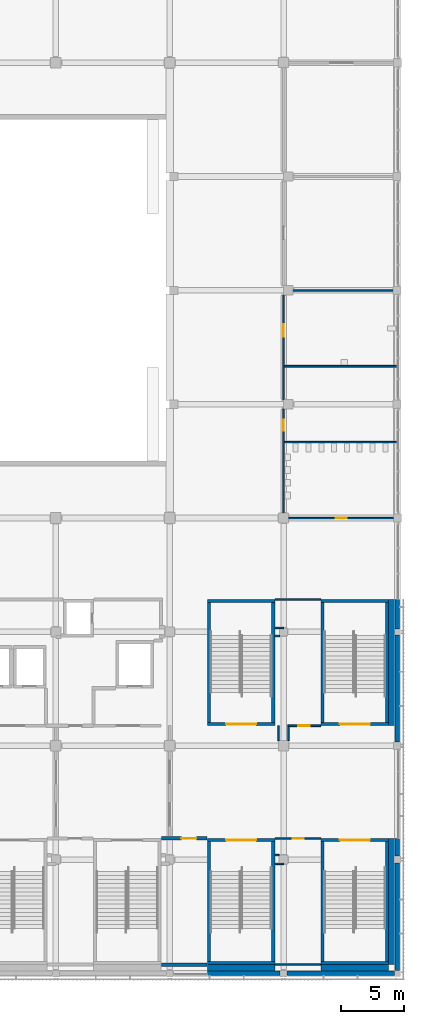
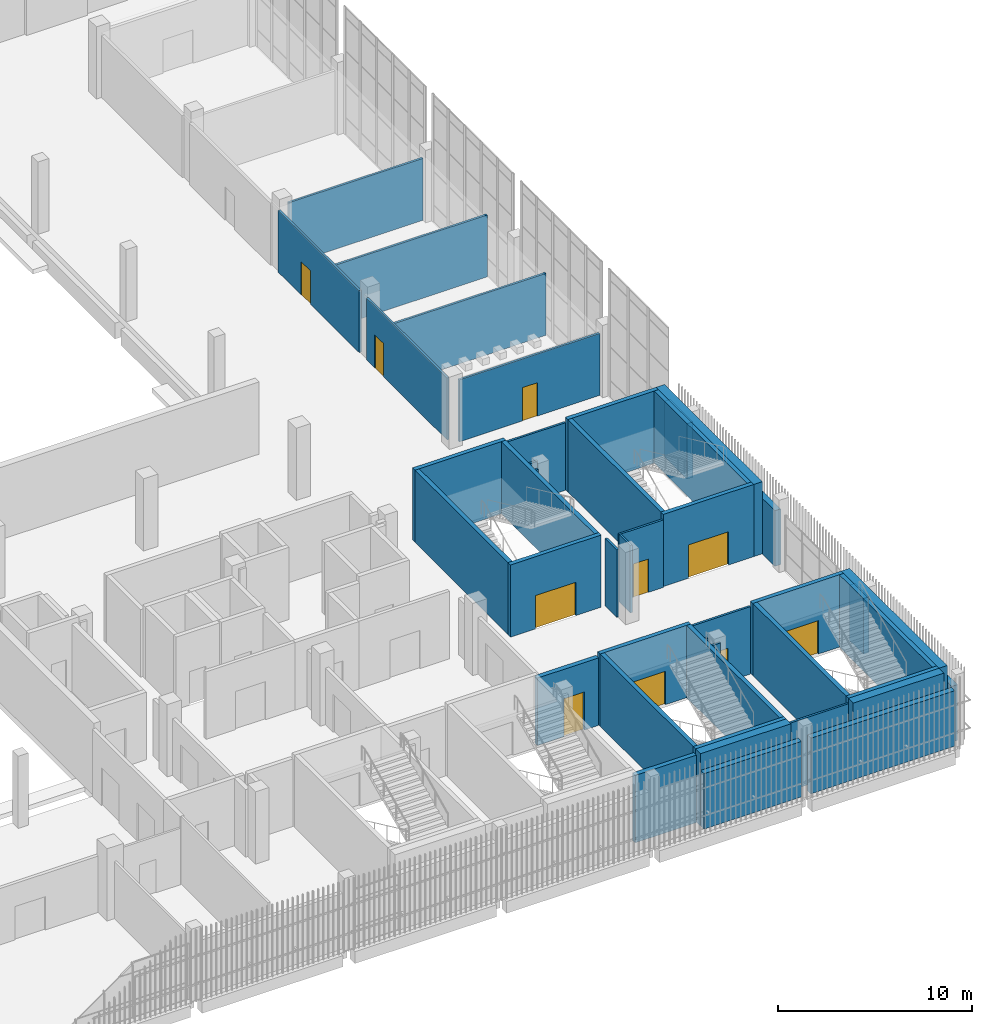
# One storey, part 87 of 126: 44 walls, 10 doors, 10 openings.
"""IFC4 building model written with IfcOpenShell, lengths in metres."""

from ifc_helpers import new_model, si_unit, direction, frame, frame_2d, origin, place, context, subcontext, project, spatial, rectangle, extrude, material, layer, layer_set, type_object, element, fill, save


model = new_model("IFC4")

# Units and contexts
model_context = context("Model", 3, precision=1e-05, world=origin(), true_north=direction((0.0, 1.0)))
body_context = subcontext(model_context, "Body", "Model", "MODEL_VIEW")
ifc_project = project(units=[si_unit("LENGTHUNIT", "METRE"), si_unit("AREAUNIT", "SQUARE_METRE"), si_unit("VOLUMEUNIT", "CUBIC_METRE"), si_unit("PLANEANGLEUNIT", "RADIAN"), si_unit("MASSUNIT", "GRAM", prefix="KILO")], contexts=[model_context])

# Site, building, storey
site_placement = place(None, origin())
site = spatial("IfcSite", under=ifc_project, at=site_placement, CompositionType="ELEMENT")
building_placement = place(site_placement, origin())
building = spatial("IfcBuilding", under=site, at=building_placement, Name="Shirokan Park Arena", CompositionType="ELEMENT")
storey_placement = place(building_placement, frame((0.0, 0.0, 6.3701171875)))
storey = spatial("IfcBuildingStorey", under=building, at=storey_placement, Name="L01", CompositionType="ELEMENT", Elevation=6.3701171875)

# Walls
ifc_material_1 = material(Name="Cedar cladding")
ifc_layer_1 = layer(ifc_material_1, 0.030029296875, Name="Cedar cladding")
ifc_material_2 = material(Name="Mineral wool insulation")
ifc_layer_2 = layer(ifc_material_2, 0.10009765625, Name="Mineral wool insulation")
ifc_material_3 = material(Name="Concrete C35", Category="concrete")
ifc_layer_3 = layer(ifc_material_3, 0.199951171875, Name="Concrete C35")
ifc_material_4 = material(Name="Gypsum board lining")
ifc_layer_4 = layer(ifc_material_4, 0.02001953125, Name="Gypsum board lining")
ifc_layer_set_1 = layer_set([ifc_layer_1, ifc_layer_2, ifc_layer_3, ifc_layer_4], Name="Cedar cladding + Mineral wool insulation + Concrete C35 + Gypsum board lining")
wall_type_1 = type_object("IfcWallType", Name="Insulated tower wall 350", PredefinedType="SOLIDWALL", material=ifc_layer_set_1)
wall_1_placement = place(storey_placement, frame((130.39990234375, 0.02490234375, 0.0), z_axis=(0.0, 0.0, 1.0), x_axis=(1.0, 0.0, 0.0)))
element("IfcWall", 1, at=wall_1_placement, inside=storey, type_object=wall_type_1, Name="South facade wall bay 15 L01", PredefinedType="SOLIDWALL", context=body_context, shape_type="SweptSolid", body=[
    extrude(rectangle(XDim=5.8251953125, YDim=0.35009765625, at=frame_2d((2.91259765625, 0.0))), origin(), (0.0, 0.0, 1.0), 3.5),
])
wall_2_placement = place(storey_placement, frame((136.77490234375, 0.02490234375, 0.0), z_axis=(0.0, 0.0, 1.0), x_axis=(1.0, 0.0, 0.0)))
element("IfcWall", 2, at=wall_2_placement, inside=storey, type_object=wall_type_1, Name="South facade wall bay 16 L01", PredefinedType="SOLIDWALL", context=body_context, shape_type="SweptSolid", body=[
    extrude(rectangle(XDim=8.5751953125, YDim=0.35009765625, at=frame_2d((4.28759765625, 0.0))), origin(), (0.0, 0.0, 1.0), 3.5),
])
wall_3_placement = place(storey_placement, frame((145.574951171875, 0.25, 0.0), z_axis=(0.0, 0.0, 1.0), x_axis=(0.0, 1.0, 0.0)))
element("IfcWall", 3, at=wall_3_placement, inside=storey, type_object=wall_type_1, Name="East facade wall bay 1 L01", PredefinedType="SOLIDWALL", context=body_context, shape_type="SweptSolid", body=[
    extrude(rectangle(XDim=8.574951171875, YDim=0.35009765625, at=frame_2d((4.28759765625, 0.0))), origin(), (0.0, 0.0, 1.0), 3.5),
])
wall_4_placement = place(storey_placement, frame((145.574951171875, 9.375, 0.0), z_axis=(0.0, 0.0, 1.0), x_axis=(0.0, 1.0, 0.0)))
element("IfcWall", 4, at=wall_4_placement, inside=storey, type_object=wall_type_1, Name="East facade wall bay 2 L01", PredefinedType="SOLIDWALL", context=body_context, shape_type="SweptSolid", body=[
    extrude(rectangle(XDim=1.425048828125, YDim=0.35009765625, at=frame_2d((0.71240234375, 0.0))), origin(), (0.0, 0.0, 1.0), 3.5),
])
wall_5_placement = place(storey_placement, frame((145.574951171875, 18.5, 0.0), z_axis=(0.0, 0.0, 1.0), x_axis=(0.0, 1.0, 0.0)))
element("IfcWall", 5, at=wall_5_placement, inside=storey, type_object=wall_type_1, Name="East facade wall bay 3 L01", PredefinedType="SOLIDWALL", context=body_context, shape_type="SweptSolid", body=[
    extrude(rectangle(XDim=8.550048828125, YDim=0.35009765625, at=frame_2d((4.27490234375, 0.0))), origin(), (0.0, 0.0, 1.0), 3.5),
])
wall_6_placement = place(storey_placement, frame((145.574951171875, 27.550048828125, 0.0), z_axis=(0.0, 0.0, 1.0), x_axis=(0.0, 1.0, 0.0)))
element("IfcWall", 6, at=wall_6_placement, inside=storey, type_object=wall_type_1, Name="East facade wall bay 4 L01", PredefinedType="SOLIDWALL", context=body_context, shape_type="SweptSolid", body=[
    extrude(rectangle(XDim=2.349853515625, YDim=0.35009765625, at=frame_2d((1.1748046875, 0.0))), origin(), (0.0, 0.0, 1.0), 3.5),
])

# Wall, opening, door
ifc_layer_5 = layer(ifc_material_3, 0.125)
ifc_layer_set_2 = layer_set([ifc_layer_5], Name="Concrete C35 125 mm")
wall_type_2 = type_object("IfcWallType", Name="Pavilion RC wall 125", PredefinedType="SOLIDWALL", material=ifc_layer_set_2)
wall_7_placement = place(storey_placement, frame((136.5, 36.800048828125, 0.0), z_axis=(0.0, 0.0, 1.0), x_axis=(0.0, 1.0, 0.0)))
wall_7 = element("IfcWall", 7, at=wall_7_placement, inside=storey, type_object=wall_type_2, Name="Wet-area wall 125 L01", PredefinedType="PARTITIONING", context=body_context, shape_type="SweptSolid", body=[
    extrude(rectangle(XDim=8.324951171875, YDim=0.125, at=frame_2d((4.16259765625, 0.0))), origin(), (0.0, 0.0, 1.0), 3.89990234375),
])
opening_1_placement = place(wall_7_placement, frame((6.574951171875, 0.0, 0.0)))
opening_1 = element("IfcOpeningElement", 8, at=opening_1_placement, cuts=wall_7, Name="Opening D-1044", PredefinedType="OPENING", context=body_context, shape_type="SweptSolid", body=[
    extrude(rectangle(XDim=0.89990234375, YDim=2.10009765625, at=frame_2d((0.449951171875, 1.050048828125))), frame((0.0, 0.072509765625, 0.0), z_axis=(0.0, -1.0, 0.0), x_axis=(1.0, 0.0, 0.0)), (0.0, 0.0, 1.0), 0.14501953125),
])
ifc_material_5 = material(Name="Timber door set, fire resisting", Category="wood")
door_type_1 = type_object("IfcDoorType", Name="Door 900 x 2100", OperationType="SINGLE_SWING_LEFT", PredefinedType="DOOR", material=ifc_material_5)
door_1_placement = place(opening_1_placement, origin())
door_1 = element("IfcDoor", 9, at=door_1_placement, inside=storey, type_object=door_type_1, Name="Door to Women's WC 1.22 D-1044", OperationType="SINGLE_SWING_RIGHT", OverallHeight=2.10009765625, OverallWidth=0.89990234375, PredefinedType="DOOR", context=body_context, shape_type="SweptSolid", body=[
    extrude(rectangle(XDim=0.89990234375, YDim=2.10009765625, at=frame_2d((0.449951171875, 1.050048828125))), frame((0.0, 0.02490234375, 0.0), z_axis=(0.0, -1.0, 0.0), x_axis=(1.0, 0.0, 0.0)), (0.0, 0.0, 1.0), 0.050048828125),
])
fill(opening_1, door_1)

wall_8_placement = place(storey_placement, frame((136.5, 45.875, 0.0), z_axis=(0.0, 0.0, 1.0), x_axis=(0.0, 1.0, 0.0)))
wall_8 = element("IfcWall", 10, at=wall_8_placement, inside=storey, type_object=wall_type_2, Name="Wet-area wall 125 L01", PredefinedType="PARTITIONING", context=body_context, shape_type="SweptSolid", body=[
    extrude(rectangle(XDim=8.35009765625, YDim=0.125, at=frame_2d((4.175048828125, 0.0))), origin(), (0.0, 0.0, 1.0), 3.89990234375),
])
opening_2_placement = place(wall_8_placement, frame((5.0, 0.0, 0.0)))
opening_2 = element("IfcOpeningElement", 11, at=opening_2_placement, cuts=wall_8, Name="Opening D-1045", PredefinedType="OPENING", context=body_context, shape_type="SweptSolid", body=[
    extrude(rectangle(XDim=1.0, YDim=2.10009765625, at=frame_2d((0.5, 1.050048828125))), frame((0.0, 0.072509765625, 0.0), z_axis=(0.0, -1.0, 0.0), x_axis=(1.0, 0.0, 0.0)), (0.0, 0.0, 1.0), 0.14501953125),
])
door_type_2 = type_object("IfcDoorType", Name="Accessible WC door 1000 x 2100", OperationType="SINGLE_SWING_RIGHT", PredefinedType="DOOR", material=ifc_material_5)
door_2_placement = place(opening_2_placement, origin())
door_2 = element("IfcDoor", 12, at=door_2_placement, inside=storey, type_object=door_type_2, Name="Door to Accessible WC 1.23 D-1045", OperationType="SINGLE_SWING_LEFT", OverallHeight=2.10009765625, OverallWidth=1.0, PredefinedType="DOOR", context=body_context, shape_type="SweptSolid", body=[
    extrude(rectangle(XDim=1.0, YDim=2.10009765625, at=frame_2d((0.5, 1.050048828125))), frame((0.0, 0.02490234375, 0.0), z_axis=(0.0, -1.0, 0.0), x_axis=(1.0, 0.0, 0.0)), (0.0, 0.0, 1.0), 0.050048828125),
])
fill(opening_2, door_2)

# Walls
for number, where, z_axis, x_axis, name in (
    (13, (136.5625, 42.466796875, 0.0), (0.0, 0.0, 1.0), (1.0, 0.0, 0.0), "Wet-area wall 125 L01"),
    (14, (136.5625, 48.533203125, 0.0), (0.0, 0.0, 1.0), (1.0, 0.0, 0.0), "Wet-area wall 125 L01"),
):
    element("IfcWall", number, at=place(storey_placement, frame(where, z_axis=z_axis, x_axis=x_axis)), inside=storey, type_object=wall_type_2, Name=name, PredefinedType="PARTITIONING", context=body_context, shape_type="SweptSolid", body=[
        extrude(rectangle(XDim=9.007568359375, YDim=0.125, at=frame_2d((4.50390625, 0.0))), origin(), (0.0, 0.0, 1.0), 3.89990234375),
    ])

# Wall, opening, door
wall_9_placement = place(storey_placement, frame((136.89990234375, 36.39990234375, 0.0), z_axis=(0.0, 0.0, 1.0), x_axis=(1.0, 0.0, 0.0)))
wall_9 = element("IfcWall", 15, at=wall_9_placement, inside=storey, type_object=wall_type_2, Name="Wet-area wall 125 L01", PredefinedType="PARTITIONING", context=body_context, shape_type="SweptSolid", body=[
    extrude(rectangle(XDim=8.375, YDim=0.125, at=frame_2d((4.1875, 0.0))), origin(), (0.0, 0.0, 1.0), 3.89990234375),
])
opening_3_placement = place(wall_9_placement, frame((3.75, 0.0, 0.0)))
opening_3 = element("IfcOpeningElement", 16, at=opening_3_placement, cuts=wall_9, Name="Opening D-1043", PredefinedType="OPENING", context=body_context, shape_type="SweptSolid", body=[
    extrude(rectangle(XDim=0.89990234375, YDim=2.10009765625, at=frame_2d((0.449951171875, 1.050048828125))), frame((0.0, 0.072509765625, 0.0), z_axis=(0.0, -1.0, 0.0), x_axis=(1.0, 0.0, 0.0)), (0.0, 0.0, 1.0), 0.14501953125),
])
door_3_placement = place(opening_3_placement, origin())
door_3 = element("IfcDoor", 17, at=door_3_placement, inside=storey, type_object=door_type_1, Name="Door to Men's WC 1.21 D-1043", OperationType="SINGLE_SWING_LEFT", OverallHeight=2.10009765625, OverallWidth=0.89990234375, PredefinedType="DOOR", context=body_context, shape_type="SweptSolid", body=[
    extrude(rectangle(XDim=0.89990234375, YDim=2.10009765625, at=frame_2d((0.449951171875, 1.050048828125))), frame((0.0, 0.02490234375, 0.0), z_axis=(0.0, -1.0, 0.0), x_axis=(1.0, 0.0, 0.0)), (0.0, 0.0, 1.0), 0.050048828125),
])
fill(opening_3, door_3)

# Wall
wall_10_placement = place(storey_placement, frame((137.25, 54.60009765625, 0.0), z_axis=(0.0, 0.0, 1.0), x_axis=(1.0, 0.0, 0.0)))
element("IfcWall", 18, at=wall_10_placement, inside=storey, type_object=wall_type_2, Name="Wet-area wall 125 L01", PredefinedType="PARTITIONING", context=body_context, shape_type="SweptSolid", body=[
    extrude(rectangle(XDim=8.0, YDim=0.125, at=frame_2d((4.0, 0.0))), origin(), (0.0, 0.0, 1.0), 3.89990234375),
])

# Wall, opening, door
ifc_material_6 = material(Name="Plaster")
ifc_layer_6 = layer(ifc_material_6, 0.012451171875, Name="Plaster")
ifc_material_7 = material(Name="Concrete blockwork", Category="masonry")
ifc_layer_7 = layer(ifc_material_7, 0.25, Name="Concrete blockwork 250")
ifc_layer_8 = layer(ifc_material_6, 0.012451171875, Name="Plaster")
ifc_layer_set_3 = layer_set([ifc_layer_6, ifc_layer_7, ifc_layer_8], Name="Plaster + Concrete blockwork 250")
wall_type_3 = type_object("IfcWallType", Name="Plant room wall 275", PredefinedType="SOLIDWALL", material=ifc_layer_set_3)
wall_11_placement = place(storey_placement, frame((126.72998046875, 10.800048828125, 0.0), z_axis=(0.0, 0.0, 1.0), x_axis=(1.0, 0.0, 0.0)))
wall_11 = element("IfcWall", 19, at=wall_11_placement, inside=storey, type_object=wall_type_3, Name="Plant room wall 275 L01", PredefinedType="SOLIDWALL", context=body_context, shape_type="SweptSolid", body=[
    extrude(rectangle(XDim=3.64013671875, YDim=0.27490234375, at=frame_2d((1.820068359375, 0.0))), origin(), (0.0, 0.0, 1.0), 4.25),
])
opening_4_placement = place(wall_11_placement, frame((1.590087890625, 0.0, 0.0)))
opening_4 = element("IfcOpeningElement", 20, at=opening_4_placement, cuts=wall_11, Name="Opening D-1014", PredefinedType="OPENING", context=body_context, shape_type="SweptSolid", body=[
    extrude(rectangle(XDim=1.199951171875, YDim=2.39990234375, at=frame_2d((0.60009765625, 1.199951171875))), frame((0.0, 0.1474609375, 0.0), z_axis=(0.0, -1.0, 0.0), x_axis=(1.0, 0.0, 0.0)), (0.0, 0.0, 1.0), 0.294921875),
])
ifc_material_8 = material(Name="Louvred steel door set, fire resisting", Category="steel")
door_type_3 = type_object("IfcDoorType", Name="Plant room door 1200 x 2400", OperationType="SINGLE_SWING_LEFT", PredefinedType="DOOR", material=ifc_material_8)
door_4_placement = place(opening_4_placement, origin())
door_4 = element("IfcDoor", 21, at=door_4_placement, inside=storey, type_object=door_type_3, Name="Door to Communications Room 1.21 D-1014", OperationType="SINGLE_SWING_RIGHT", OverallHeight=2.39990234375, OverallWidth=1.199951171875, PredefinedType="DOOR", context=body_context, shape_type="SweptSolid", body=[
    extrude(rectangle(XDim=1.199951171875, YDim=2.39990234375, at=frame_2d((0.60009765625, 1.199951171875))), frame((0.0, 0.02490234375, 0.0), z_axis=(0.0, -1.0, 0.0), x_axis=(1.0, 0.0, 0.0)), (0.0, 0.0, 1.0), 0.050048828125),
])
fill(opening_4, door_4)

# Walls
wall_12_placement = place(storey_placement, frame((130.3701171875, 0.699951171875, 0.0), z_axis=(0.0, 0.0, 1.0), x_axis=(-1.0, 0.0, 0.0)))
element("IfcWall", 22, at=wall_12_placement, inside=storey, type_object=wall_type_3, Name="Plant room wall 275 L01", PredefinedType="SOLIDWALL", context=body_context, shape_type="SweptSolid", body=[
    extrude(rectangle(XDim=3.64013671875, YDim=0.27490234375, at=frame_2d((1.820068359375, 0.0))), origin(), (0.0, 0.0, 1.0), 4.25),
])
ifc_material_9 = material(Name="Concrete C40/50", Category="concrete")
ifc_layer_9 = layer(ifc_material_9, 0.25)
ifc_layer_set_4 = layer_set([ifc_layer_9], Name="Concrete C40/50 250 mm")
wall_type_4 = type_object("IfcWallType", Name="RC shear wall 250", PredefinedType="SHEAR", material=ifc_layer_set_4)
wall_13_placement = place(storey_placement, frame((144.89990234375, 0.824951171875, 0.0), z_axis=(0.0, 0.0, 1.0), x_axis=(-1.0, 0.0, 0.0)))
element("IfcWall", 23, at=wall_13_placement, inside=storey, type_object=wall_type_4, Name="Shaft wall Exit Stair 2.A S L01", PredefinedType="SHEAR", context=body_context, shape_type="SweptSolid", body=[
    extrude(rectangle(XDim=5.39990234375, YDim=0.25, at=frame_2d((2.699951171875, 0.0))), origin(), (0.0, 0.0, 1.0), 4.5498046875),
])

# Wall, opening, door
wall_14_placement = place(storey_placement, frame((144.89990234375, 10.675048828125, 0.0), z_axis=(0.0, 0.0, 1.0), x_axis=(-1.0, 0.0, 0.0)))
wall_14 = element("IfcWall", 24, at=wall_14_placement, inside=storey, type_object=wall_type_4, Name="Shaft wall Exit Stair 2.A N L01", PredefinedType="SHEAR", context=body_context, shape_type="SweptSolid", body=[
    extrude(rectangle(XDim=5.39990234375, YDim=0.25, at=frame_2d((2.699951171875, 0.0))), origin(), (0.0, 0.0, 1.0), 4.5498046875),
])
opening_5_placement = place(wall_14_placement, frame((1.5, 0.0, 0.0)))
opening_5 = element("IfcOpeningElement", 25, at=opening_5_placement, cuts=wall_14, Name="Opening D-1106", PredefinedType="OPENING", context=body_context, shape_type="SweptSolid", body=[
    extrude(rectangle(XDim=2.39990234375, YDim=2.10009765625, at=frame_2d((1.199951171875, 1.050048828125))), frame((0.0, 0.135009765625, 0.0), z_axis=(0.0, -1.0, 0.0), x_axis=(1.0, 0.0, 0.0)), (0.0, 0.0, 1.0), 0.27001953125),
])
ifc_material_10 = material(Name="Steel door set, fire resisting", Category="steel")
door_type_4 = type_object("IfcDoorType", Name="Stair door 2400 x 2100", OperationType="DOUBLE_DOOR_SINGLE_SWING", PredefinedType="DOOR", material=ifc_material_10)
door_5_placement = place(opening_5_placement, origin())
door_5 = element("IfcDoor", 26, at=door_5_placement, inside=storey, type_object=door_type_4, Name="Stair door Exit Stair 2.A D-1106", OperationType="DOUBLE_DOOR_SINGLE_SWING", OverallHeight=2.10009765625, OverallWidth=2.39990234375, PredefinedType="DOOR", context=body_context, shape_type="SweptSolid", body=[
    extrude(rectangle(XDim=2.39990234375, YDim=2.10009765625, at=frame_2d((1.199951171875, 1.050048828125))), frame((0.0, 0.02490234375, 0.0), z_axis=(0.0, -1.0, 0.0), x_axis=(1.0, 0.0, 0.0)), (0.0, 0.0, 1.0), 0.050048828125),
])
fill(opening_5, door_5)

# Walls
for number, where, z_axis, x_axis, name in (
    (27, (139.625, 10.550048828125, 0.0), (0.0, 0.0, 1.0), (0.0, -1.0, 0.0), "Shaft wall Exit Stair 2.A W L01"),
    (28, (144.77490234375, 10.550048828125, 0.0), (0.0, 0.0, 1.0), (0.0, -1.0, 0.0), "Shaft wall Exit Stair 2.A E L01"),
):
    element("IfcWall", number, at=place(storey_placement, frame(where, z_axis=z_axis, x_axis=x_axis)), inside=storey, type_object=wall_type_4, Name=name, PredefinedType="SHEAR", context=body_context, shape_type="SweptSolid", body=[
        extrude(rectangle(XDim=9.60009765625, YDim=0.25, at=frame_2d((4.800048828125, 0.0))), origin(), (0.0, 0.0, 1.0), 4.5498046875),
    ])
wall_15_placement = place(storey_placement, frame((135.800048828125, 0.824951171875, 0.0), z_axis=(0.0, 0.0, 1.0), x_axis=(-1.0, 0.0, 0.0)))
element("IfcWall", 29, at=wall_15_placement, inside=storey, type_object=wall_type_4, Name="Shaft wall Exit Stair 2.B S L01", PredefinedType="SHEAR", context=body_context, shape_type="SweptSolid", body=[
    extrude(rectangle(XDim=5.400146484375, YDim=0.25, at=frame_2d((2.7001953125, 0.0))), origin(), (0.0, 0.0, 1.0), 4.5498046875),
])

# Wall, opening, door
wall_16_placement = place(storey_placement, frame((135.800048828125, 10.675048828125, 0.0), z_axis=(0.0, 0.0, 1.0), x_axis=(-1.0, 0.0, 0.0)))
wall_16 = element("IfcWall", 30, at=wall_16_placement, inside=storey, type_object=wall_type_4, Name="Shaft wall Exit Stair 2.B N L01", PredefinedType="SHEAR", context=body_context, shape_type="SweptSolid", body=[
    extrude(rectangle(XDim=5.400146484375, YDim=0.25, at=frame_2d((2.7001953125, 0.0))), origin(), (0.0, 0.0, 1.0), 4.5498046875),
])
opening_6_placement = place(wall_16_placement, frame((1.5, 0.0, 0.0)))
opening_6 = element("IfcOpeningElement", 31, at=opening_6_placement, cuts=wall_16, Name="Opening D-1107", PredefinedType="OPENING", context=body_context, shape_type="SweptSolid", body=[
    extrude(rectangle(XDim=2.39990234375, YDim=2.10009765625, at=frame_2d((1.199951171875, 1.050048828125))), frame((0.0, 0.135009765625, 0.0), z_axis=(0.0, -1.0, 0.0), x_axis=(1.0, 0.0, 0.0)), (0.0, 0.0, 1.0), 0.27001953125),
])
door_6_placement = place(opening_6_placement, origin())
door_6 = element("IfcDoor", 32, at=door_6_placement, inside=storey, type_object=door_type_4, Name="Stair door Exit Stair 2.B D-1107", OperationType="DOUBLE_DOOR_SINGLE_SWING", OverallHeight=2.10009765625, OverallWidth=2.39990234375, PredefinedType="DOOR", context=body_context, shape_type="SweptSolid", body=[
    extrude(rectangle(XDim=2.39990234375, YDim=2.10009765625, at=frame_2d((1.199951171875, 1.050048828125))), frame((0.0, 0.02490234375, 0.0), z_axis=(0.0, -1.0, 0.0), x_axis=(1.0, 0.0, 0.0)), (0.0, 0.0, 1.0), 0.050048828125),
])
fill(opening_6, door_6)

# Walls
for number, where, z_axis, x_axis, name in (
    (33, (130.52490234375, 10.550048828125, 0.0), (0.0, 0.0, 1.0), (0.0, -1.0, 0.0), "Shaft wall Exit Stair 2.B W L01"),
    (34, (135.675048828125, 10.550048828125, 0.0), (0.0, 0.0, 1.0), (0.0, -1.0, 0.0), "Shaft wall Exit Stair 2.B E L01"),
):
    element("IfcWall", number, at=place(storey_placement, frame(where, z_axis=z_axis, x_axis=x_axis)), inside=storey, type_object=wall_type_4, Name=name, PredefinedType="SHEAR", context=body_context, shape_type="SweptSolid", body=[
        extrude(rectangle(XDim=9.60009765625, YDim=0.25, at=frame_2d((4.800048828125, 0.0))), origin(), (0.0, 0.0, 1.0), 4.5498046875),
    ])

# Wall, opening, door
wall_17_placement = place(storey_placement, frame((144.89990234375, 19.925048828125, 0.0), z_axis=(0.0, 0.0, 1.0), x_axis=(-1.0, 0.0, 0.0)))
wall_17 = element("IfcWall", 35, at=wall_17_placement, inside=storey, type_object=wall_type_4, Name="Shaft wall Exit Stair 2.E S L01", PredefinedType="SHEAR", context=body_context, shape_type="SweptSolid", body=[
    extrude(rectangle(XDim=5.39990234375, YDim=0.25, at=frame_2d((2.699951171875, 0.0))), origin(), (0.0, 0.0, 1.0), 4.5498046875),
])
opening_7_placement = place(wall_17_placement, frame((1.5, 0.0, 0.0)))
opening_7 = element("IfcOpeningElement", 36, at=opening_7_placement, cuts=wall_17, Name="Opening D-1110", PredefinedType="OPENING", context=body_context, shape_type="SweptSolid", body=[
    extrude(rectangle(XDim=2.39990234375, YDim=2.10009765625, at=frame_2d((1.199951171875, 1.050048828125))), frame((0.0, 0.135009765625, 0.0), z_axis=(0.0, -1.0, 0.0), x_axis=(1.0, 0.0, 0.0)), (0.0, 0.0, 1.0), 0.27001953125),
])
door_7_placement = place(opening_7_placement, origin())
door_7 = element("IfcDoor", 37, at=door_7_placement, inside=storey, type_object=door_type_4, Name="Stair door Exit Stair 2.E D-1110", OperationType="DOUBLE_DOOR_SINGLE_SWING", OverallHeight=2.10009765625, OverallWidth=2.39990234375, PredefinedType="DOOR", context=body_context, shape_type="SweptSolid", body=[
    extrude(rectangle(XDim=2.39990234375, YDim=2.10009765625, at=frame_2d((1.199951171875, 1.050048828125))), frame((0.0, 0.02490234375, 0.0), z_axis=(0.0, -1.0, 0.0), x_axis=(1.0, 0.0, 0.0)), (0.0, 0.0, 1.0), 0.050048828125),
])
fill(opening_7, door_7)

# Walls
wall_18_placement = place(storey_placement, frame((144.89990234375, 29.77490234375, 0.0), z_axis=(0.0, 0.0, 1.0), x_axis=(-1.0, 0.0, 0.0)))
element("IfcWall", 38, at=wall_18_placement, inside=storey, type_object=wall_type_4, Name="Shaft wall Exit Stair 2.E N L01", PredefinedType="SHEAR", context=body_context, shape_type="SweptSolid", body=[
    extrude(rectangle(XDim=5.39990234375, YDim=0.25, at=frame_2d((2.699951171875, 0.0))), origin(), (0.0, 0.0, 1.0), 4.5498046875),
])
for number, where, z_axis, x_axis, name in (
    (39, (139.625, 29.64990234375, 0.0), (0.0, 0.0, 1.0), (0.0, -1.0, 0.0), "Shaft wall Exit Stair 2.E W L01"),
    (40, (144.77490234375, 29.64990234375, 0.0), (0.0, 0.0, 1.0), (0.0, -1.0, 0.0), "Shaft wall Exit Stair 2.E E L01"),
):
    element("IfcWall", number, at=place(storey_placement, frame(where, z_axis=z_axis, x_axis=x_axis)), inside=storey, type_object=wall_type_4, Name=name, PredefinedType="SHEAR", context=body_context, shape_type="SweptSolid", body=[
        extrude(rectangle(XDim=9.599853515625, YDim=0.25, at=frame_2d((4.7998046875, 0.0))), origin(), (0.0, 0.0, 1.0), 4.5498046875),
    ])

# Wall, opening, door
wall_19_placement = place(storey_placement, frame((135.800048828125, 19.925048828125, 0.0), z_axis=(0.0, 0.0, 1.0), x_axis=(-1.0, 0.0, 0.0)))
wall_19 = element("IfcWall", 41, at=wall_19_placement, inside=storey, type_object=wall_type_4, Name="Shaft wall Exit Stair 2.F S L01", PredefinedType="SHEAR", context=body_context, shape_type="SweptSolid", body=[
    extrude(rectangle(XDim=5.400146484375, YDim=0.25, at=frame_2d((2.7001953125, 0.0))), origin(), (0.0, 0.0, 1.0), 4.5498046875),
])
opening_8_placement = place(wall_19_placement, frame((1.5, 0.0, 0.0)))
opening_8 = element("IfcOpeningElement", 42, at=opening_8_placement, cuts=wall_19, Name="Opening D-1111", PredefinedType="OPENING", context=body_context, shape_type="SweptSolid", body=[
    extrude(rectangle(XDim=2.39990234375, YDim=2.10009765625, at=frame_2d((1.199951171875, 1.050048828125))), frame((0.0, 0.135009765625, 0.0), z_axis=(0.0, -1.0, 0.0), x_axis=(1.0, 0.0, 0.0)), (0.0, 0.0, 1.0), 0.27001953125),
])
door_8_placement = place(opening_8_placement, origin())
door_8 = element("IfcDoor", 43, at=door_8_placement, inside=storey, type_object=door_type_4, Name="Stair door Exit Stair 2.F D-1111", OperationType="DOUBLE_DOOR_SINGLE_SWING", OverallHeight=2.10009765625, OverallWidth=2.39990234375, PredefinedType="DOOR", context=body_context, shape_type="SweptSolid", body=[
    extrude(rectangle(XDim=2.39990234375, YDim=2.10009765625, at=frame_2d((1.199951171875, 1.050048828125))), frame((0.0, 0.02490234375, 0.0), z_axis=(0.0, -1.0, 0.0), x_axis=(1.0, 0.0, 0.0)), (0.0, 0.0, 1.0), 0.050048828125),
])
fill(opening_8, door_8)

# Walls
wall_20_placement = place(storey_placement, frame((135.800048828125, 29.77490234375, 0.0), z_axis=(0.0, 0.0, 1.0), x_axis=(-1.0, 0.0, 0.0)))
element("IfcWall", 44, at=wall_20_placement, inside=storey, type_object=wall_type_4, Name="Shaft wall Exit Stair 2.F N L01", PredefinedType="SHEAR", context=body_context, shape_type="SweptSolid", body=[
    extrude(rectangle(XDim=5.400146484375, YDim=0.25, at=frame_2d((2.7001953125, 0.0))), origin(), (0.0, 0.0, 1.0), 4.5498046875),
])
for number, where, z_axis, x_axis, name in (
    (45, (130.52490234375, 29.64990234375, 0.0), (0.0, 0.0, 1.0), (0.0, -1.0, 0.0), "Shaft wall Exit Stair 2.F W L01"),
    (46, (135.675048828125, 29.64990234375, 0.0), (0.0, 0.0, 1.0), (0.0, -1.0, 0.0), "Shaft wall Exit Stair 2.F E L01"),
):
    element("IfcWall", number, at=place(storey_placement, frame(where, z_axis=z_axis, x_axis=x_axis)), inside=storey, type_object=wall_type_4, Name=name, PredefinedType="SHEAR", context=body_context, shape_type="SweptSolid", body=[
        extrude(rectangle(XDim=9.599853515625, YDim=0.25, at=frame_2d((4.7998046875, 0.0))), origin(), (0.0, 0.0, 1.0), 4.5498046875),
    ])
ifc_layer_10 = layer(ifc_material_3, 0.5)
ifc_layer_set_5 = layer_set([ifc_layer_10], Name="Concrete C35 500 mm")
wall_type_5 = type_object("IfcWallType", Name="Shaft infill wall 500", PredefinedType="SOLIDWALL", material=ifc_layer_set_5)
wall_21_placement = place(storey_placement, frame((139.5, 0.449951171875, 0.0), z_axis=(0.0, 0.0, 1.0), x_axis=(1.0, 0.0, 0.0)))
element("IfcWall", 47, at=wall_21_placement, inside=storey, type_object=wall_type_5, Name="Shaft infill wall L01", PredefinedType="SOLIDWALL", context=body_context, shape_type="SweptSolid", body=[
    extrude(rectangle(XDim=5.39990234375, YDim=0.5, at=frame_2d((2.699951171875, 0.0))), origin(), (0.0, 0.0, 1.0), 4.5498046875),
])
wall_22_placement = place(storey_placement, frame((145.14990234375, 0.699951171875, 0.0), z_axis=(0.0, 0.0, 1.0), x_axis=(0.0, 1.0, 0.0)))
element("IfcWall", 48, at=wall_22_placement, inside=storey, type_object=wall_type_5, Name="Shaft infill wall L01", PredefinedType="SOLIDWALL", context=body_context, shape_type="SweptSolid", body=[
    extrude(rectangle(XDim=10.10009765625, YDim=0.5, at=frame_2d((5.050048828125, 0.0))), origin(), (0.0, 0.0, 1.0), 4.5498046875),
])
wall_23_placement = place(storey_placement, frame((130.39990234375, 0.449951171875, 0.0), z_axis=(0.0, 0.0, 1.0), x_axis=(1.0, 0.0, 0.0)))
element("IfcWall", 49, at=wall_23_placement, inside=storey, type_object=wall_type_5, Name="Shaft infill wall L01", PredefinedType="SOLIDWALL", context=body_context, shape_type="SweptSolid", body=[
    extrude(rectangle(XDim=5.400146484375, YDim=0.5, at=frame_2d((2.7001953125, 0.0))), origin(), (0.0, 0.0, 1.0), 4.5498046875),
])
wall_24_placement = place(storey_placement, frame((145.14990234375, 19.800048828125, 0.0), z_axis=(0.0, 0.0, 1.0), x_axis=(0.0, 1.0, 0.0)))
element("IfcWall", 50, at=wall_24_placement, inside=storey, type_object=wall_type_5, Name="Shaft infill wall L01", PredefinedType="SOLIDWALL", context=body_context, shape_type="SweptSolid", body=[
    extrude(rectangle(XDim=10.099853515625, YDim=0.5, at=frame_2d((5.0498046875, 0.0))), origin(), (0.0, 0.0, 1.0), 4.5498046875),
])
ifc_material_11 = material(Name="Ceramic tile")
ifc_layer_11 = layer(ifc_material_11, 0.010009765625, Name="Ceramic tile")
ifc_material_12 = material(Name="Cement board")
ifc_layer_12 = layer(ifc_material_12, 0.012451171875, Name="Cement board")
ifc_layer_13 = layer(ifc_material_2, 0.080078125, Name="Mineral wool insulation")
ifc_layer_14 = layer(ifc_material_12, 0.012451171875, Name="Cement board")
ifc_layer_15 = layer(ifc_material_11, 0.010009765625, Name="Ceramic tile")
ifc_layer_set_6 = layer_set([ifc_layer_11, ifc_layer_12, ifc_layer_13, ifc_layer_14, ifc_layer_15], Name="Ceramic tile + Cement board + Mineral wool insulation")
wall_type_6 = type_object("IfcWallType", Name="Wet-area wall 125", PredefinedType="PARTITIONING", material=ifc_layer_set_6)
wall_25_placement = place(storey_placement, frame((135.830078125, 8.75, 0.0), z_axis=(0.0, 0.0, 1.0), x_axis=(1.0, 0.0, 0.0)))
element("IfcWall", 51, at=wall_25_placement, inside=storey, type_object=wall_type_6, Name="Wet-area wall 125 L01", PredefinedType="PARTITIONING", context=body_context, shape_type="SweptSolid", body=[
    extrude(rectangle(XDim=0.669921875, YDim=0.125, at=frame_2d((0.3349609375, 0.0))), origin(), (0.0, 0.0, 1.0), 4.25),
])
wall_26_placement = place(storey_placement, frame((135.830078125, 26.97509765625, 0.0), z_axis=(0.0, 0.0, 1.0), x_axis=(1.0, 0.0, 0.0)))
element("IfcWall", 52, at=wall_26_placement, inside=storey, type_object=wall_type_6, Name="Wet-area wall 125 L01", PredefinedType="PARTITIONING", context=body_context, shape_type="SweptSolid", body=[
    extrude(rectangle(XDim=0.344970703125, YDim=0.125, at=frame_2d((0.17236328125, 0.0))), origin(), (0.0, 0.0, 1.0), 4.25),
])
wall_27_placement = place(storey_placement, frame((135.830078125, 27.625, 0.0), z_axis=(0.0, 0.0, 1.0), x_axis=(1.0, 0.0, 0.0)))
element("IfcWall", 53, at=wall_27_placement, inside=storey, type_object=wall_type_6, Name="Wet-area wall 125 L01", PredefinedType="PARTITIONING", context=body_context, shape_type="SweptSolid", body=[
    extrude(rectangle(XDim=0.669921875, YDim=0.125, at=frame_2d((0.3349609375, 0.0))), origin(), (0.0, 0.0, 1.0), 4.25),
])
wall_28_placement = place(storey_placement, frame((135.830078125, 29.89990234375, 0.0), z_axis=(0.0, 0.0, 1.0), x_axis=(1.0, 0.0, 0.0)))
element("IfcWall", 54, at=wall_28_placement, inside=storey, type_object=wall_type_6, Name="Wet-area wall 125 L01", PredefinedType="PARTITIONING", context=body_context, shape_type="SweptSolid", body=[
    extrude(rectangle(XDim=3.639892578125, YDim=0.125, at=frame_2d((1.81982421875, 0.0))), origin(), (0.0, 0.0, 1.0), 4.25),
])
wall_29_placement = place(storey_placement, frame((136.10009765625, 19.800048828125, 0.0), z_axis=(0.0, 0.0, 1.0), x_axis=(0.0, -1.0, 0.0)))
element("IfcWall", 55, at=wall_29_placement, inside=storey, type_object=wall_type_6, Name="Wet-area wall 125 L01", PredefinedType="PARTITIONING", context=body_context, shape_type="SweptSolid", body=[
    extrude(rectangle(XDim=1.199951171875, YDim=0.125, at=frame_2d((0.60009765625, 0.0))), origin(), (0.0, 0.0, 1.0), 4.25),
])
wall_30_placement = place(storey_placement, frame((136.14990234375, 9.449951171875, 0.0), z_axis=(0.0, 0.0, 1.0), x_axis=(-1.0, 0.0, 0.0)))
element("IfcWall", 56, at=wall_30_placement, inside=storey, type_object=wall_type_6, Name="Wet-area wall 125 L01", PredefinedType="PARTITIONING", context=body_context, shape_type="SweptSolid", body=[
    extrude(rectangle(XDim=0.31982421875, YDim=0.125, at=frame_2d((0.159912109375, 0.0))), origin(), (0.0, 0.0, 1.0), 4.25),
])

# Wall, opening, door
wall_31_placement = place(storey_placement, frame((136.83740234375, 19.800048828125, 0.0), z_axis=(0.0, 0.0, 1.0), x_axis=(1.0, 0.0, 0.0)))
wall_31 = element("IfcWall", 57, at=wall_31_placement, inside=storey, type_object=wall_type_6, Name="Wet-area wall 125 L01", PredefinedType="PARTITIONING", context=body_context, shape_type="SweptSolid", body=[
    extrude(rectangle(XDim=2.632568359375, YDim=0.125, at=frame_2d((1.31640625, 0.0))), origin(), (0.0, 0.0, 1.0), 4.25),
])
opening_9_placement = place(wall_31_placement, frame((0.85009765625, 0.0, 0.0)))
opening_9 = element("IfcOpeningElement", 58, at=opening_9_placement, cuts=wall_31, Name="Opening D-1010", PredefinedType="OPENING", context=body_context, shape_type="SweptSolid", body=[
    extrude(rectangle(XDim=0.89990234375, YDim=2.10009765625, at=frame_2d((0.449951171875, 1.050048828125))), frame((0.0, 0.072509765625, 0.0), z_axis=(0.0, -1.0, 0.0), x_axis=(1.0, 0.0, 0.0)), (0.0, 0.0, 1.0), 0.14501953125),
])
door_9_placement = place(opening_9_placement, origin())
door_9 = element("IfcDoor", 59, at=door_9_placement, inside=storey, type_object=door_type_1, Name="Door to Staff WC 1.27 D-1010", OperationType="SINGLE_SWING_RIGHT", OverallHeight=2.10009765625, OverallWidth=0.89990234375, PredefinedType="DOOR", context=body_context, shape_type="SweptSolid", body=[
    extrude(rectangle(XDim=0.89990234375, YDim=2.10009765625, at=frame_2d((0.449951171875, 1.050048828125))), frame((0.0, 0.02490234375, 0.0), z_axis=(0.0, -1.0, 0.0), x_axis=(1.0, 0.0, 0.0)), (0.0, 0.0, 1.0), 0.050048828125),
])
fill(opening_9, door_9)

# Walls
wall_32_placement = place(storey_placement, frame((136.89990234375, 18.60009765625, 0.0), z_axis=(0.0, 0.0, 1.0), x_axis=(0.0, 1.0, 0.0)))
element("IfcWall", 60, at=wall_32_placement, inside=storey, type_object=wall_type_6, Name="Wet-area wall 125 L01", PredefinedType="PARTITIONING", context=body_context, shape_type="SweptSolid", body=[
    extrude(rectangle(XDim=1.137451171875, YDim=0.125, at=frame_2d((0.56884765625, 0.0))), origin(), (0.0, 0.0, 1.0), 4.25),
])
wall_33_placement = place(storey_placement, frame((139.469970703125, 0.699951171875, 0.0), z_axis=(0.0, 0.0, 1.0), x_axis=(-1.0, 0.0, 0.0)))
element("IfcWall", 61, at=wall_33_placement, inside=storey, type_object=wall_type_6, Name="Wet-area wall 125 L01", PredefinedType="PARTITIONING", context=body_context, shape_type="SweptSolid", body=[
    extrude(rectangle(XDim=3.639892578125, YDim=0.125, at=frame_2d((1.81982421875, 0.0))), origin(), (0.0, 0.0, 1.0), 4.25),
])

# Wall, opening, door
wall_34_placement = place(storey_placement, frame((139.469970703125, 10.800048828125, 0.0), z_axis=(0.0, 0.0, 1.0), x_axis=(-1.0, 0.0, 0.0)))
wall_34 = element("IfcWall", 62, at=wall_34_placement, inside=storey, type_object=wall_type_6, Name="Wet-area wall 125 L01", PredefinedType="PARTITIONING", context=body_context, shape_type="SweptSolid", body=[
    extrude(rectangle(XDim=3.639892578125, YDim=0.125, at=frame_2d((1.81982421875, 0.0))), origin(), (0.0, 0.0, 1.0), 4.25),
])
opening_10_placement = place(wall_34_placement, frame((1.35009765625, 0.0, 0.0)))
opening_10 = element("IfcOpeningElement", 63, at=opening_10_placement, cuts=wall_34, Name="Opening D-1013", PredefinedType="OPENING", context=body_context, shape_type="SweptSolid", body=[
    extrude(rectangle(XDim=0.89990234375, YDim=2.10009765625, at=frame_2d((0.449951171875, 1.050048828125))), frame((0.0, 0.072509765625, 0.0), z_axis=(0.0, -1.0, 0.0), x_axis=(1.0, 0.0, 0.0)), (0.0, 0.0, 1.0), 0.14501953125),
])
door_10_placement = place(opening_10_placement, origin())
door_10 = element("IfcDoor", 64, at=door_10_placement, inside=storey, type_object=door_type_1, Name="Door to Staff WC 1.20 D-1013", OperationType="SINGLE_SWING_RIGHT", OverallHeight=2.10009765625, OverallWidth=0.89990234375, PredefinedType="DOOR", context=body_context, shape_type="SweptSolid", body=[
    extrude(rectangle(XDim=0.89990234375, YDim=2.10009765625, at=frame_2d((0.449951171875, 1.050048828125))), frame((0.0, 0.02490234375, 0.0), z_axis=(0.0, -1.0, 0.0), x_axis=(1.0, 0.0, 0.0)), (0.0, 0.0, 1.0), 0.050048828125),
])
fill(opening_10, door_10)

save(model, "model.ifc")
